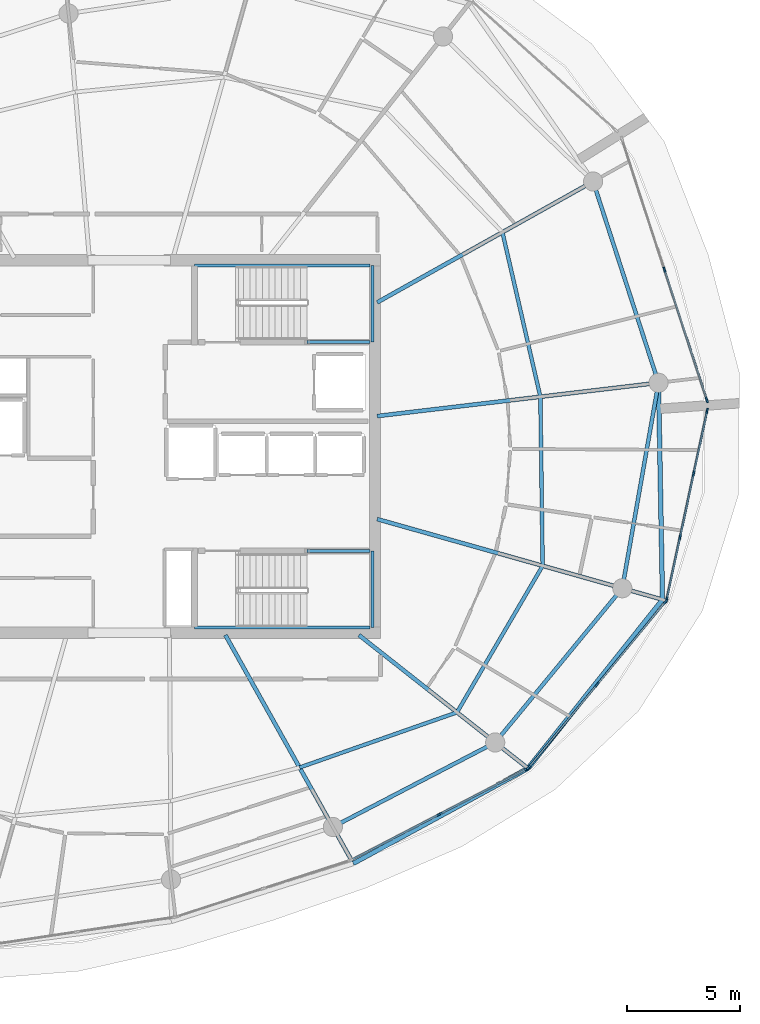
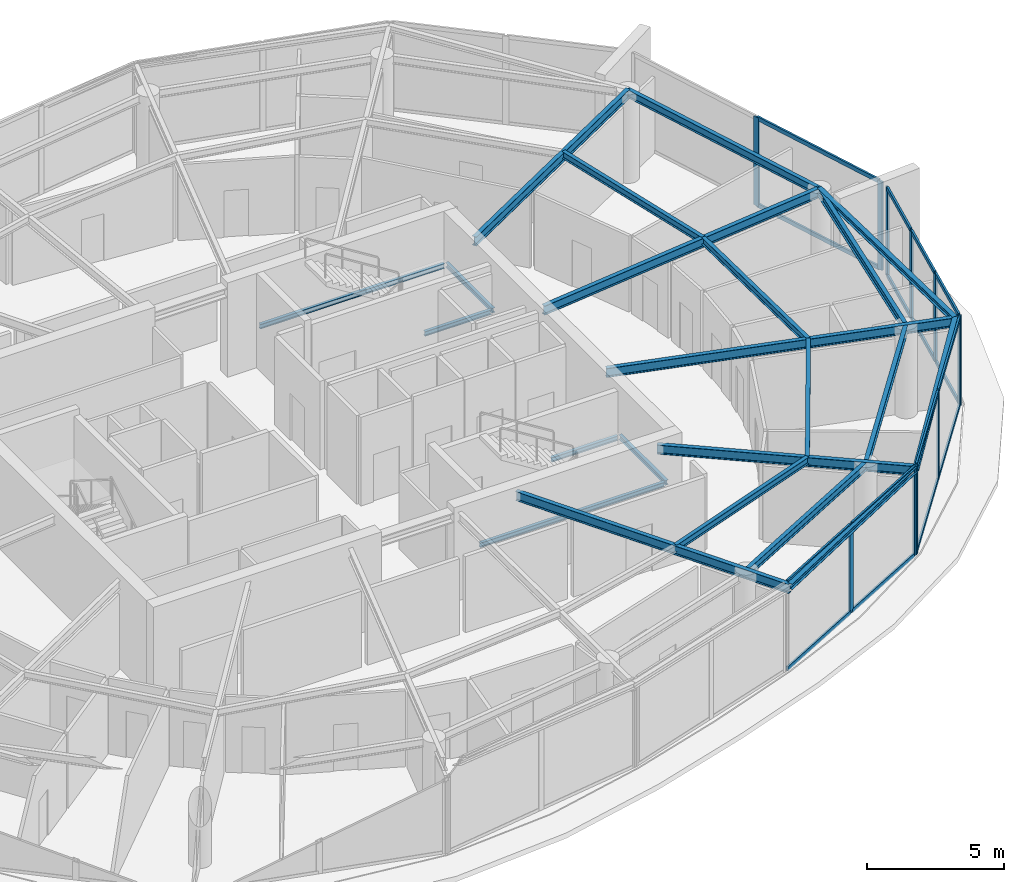
# One storey, part 7 of 16: 27 members, 22 beams, 4 elements without a shape of their own.
"""IFC4 building model written with IfcOpenShell, lengths in metres."""

from ifc_helpers import new_model, si_unit, direction, frame, origin, origin_2d, place, context, subcontext, project, spatial, rectangle, i_section, extrude, material, layer, layer_set, material_profile, profile_set, type_object, element, aggregate, save


model = new_model("IFC4")

# Units and contexts
model_context = context("Model", 3, precision=1e-05, world=origin(), true_north=direction((0.0, 1.0)))
body_context = subcontext(model_context, "Body", "Model", "MODEL_VIEW")
ifc_project = project(units=[si_unit("LENGTHUNIT", "METRE"), si_unit("AREAUNIT", "SQUARE_METRE"), si_unit("VOLUMEUNIT", "CUBIC_METRE"), si_unit("PLANEANGLEUNIT", "RADIAN"), si_unit("MASSUNIT", "GRAM", prefix="KILO")], contexts=[model_context])

# Site, building, storey
site_placement = place(None, origin())
site = spatial("IfcSite", under=ifc_project, at=site_placement, CompositionType="ELEMENT")
building_placement = place(site_placement, origin())
building = spatial("IfcBuilding", under=site, at=building_placement, Name="Kazma Halo Residences", CompositionType="ELEMENT")
storey_placement = place(building_placement, frame((0.0, 0.0, 313.699951171875)))
storey = spatial("IfcBuildingStorey", under=building, at=storey_placement, Name="L79", CompositionType="ELEMENT", Elevation=313.699951171875)

# Beams
ifc_material_1 = material(Name="Steel S355", Category="steel")
ifc_material_profile_1 = material_profile(ifc_material_1, i_section(OverallWidth=0.201904296875, OverallDepth=0.2470703125, WebThickness=0.00732421875, FlangeThickness=0.010986328125, FilletRadius=0.011962890625, at=origin_2d()), Name="W250x49.1")
ifc_profile_set_1 = profile_set([ifc_material_profile_1], Name="Steel S355")
beam_type_1 = type_object("IfcBeamType", Name="BM-BAL-CANT", PredefinedType="BEAM", material=ifc_profile_set_1)
beam_1_placement = place(storey_placement, frame((58.3408203125, 23.53515625, 3.816650390625), z_axis=(0.878288155766, 0.478131692571, 0.0), x_axis=(-0.478131692571, 0.878288155766, 0.0)))
element("IfcBeam", 1, at=beam_1_placement, inside=storey, type_object=beam_type_1, Name="L79 wave-balcony tie beam 13", PredefinedType="BEAM", context=body_context, shape_type="SweptSolid", body=[
    extrude(i_section(OverallWidth=0.201904296875, OverallDepth=0.2470703125, WebThickness=0.00732421875, FlangeThickness=0.010986328125, FilletRadius=0.011962890625, at=origin_2d()), origin(), (0.0, 0.0, 1.0), 8.810546875),
])
beam_2_placement = place(storey_placement, frame((66.0791015625, 27.747802734375, 3.816650390625), z_axis=(0.623310870646, 0.781974141858, 0.0), x_axis=(-0.781974141858, 0.623310870646, 0.0)))
element("IfcBeam", 2, at=beam_2_placement, inside=storey, type_object=beam_type_1, Name="L79 wave-balcony tie beam 14", PredefinedType="BEAM", context=body_context, shape_type="SweptSolid", body=[
    extrude(i_section(OverallWidth=0.201904296875, OverallDepth=0.2470703125, WebThickness=0.00732421875, FlangeThickness=0.010986328125, FilletRadius=0.011962890625, at=origin_2d()), origin(), (0.0, 0.0, 1.0), 9.55712890625),
])
beam_3_placement = place(storey_placement, frame((72.0361328125, 35.22119140625, 3.816650390625), z_axis=(-0.018301708623, 0.999832509704, 0.0), x_axis=(-0.999832509704, -0.018301708623, 0.0)))
element("IfcBeam", 3, at=beam_3_placement, inside=storey, type_object=beam_type_1, Name="L79 wave-balcony tie beam 15", PredefinedType="BEAM", context=body_context, shape_type="SweptSolid", body=[
    extrude(i_section(OverallWidth=0.201904296875, OverallDepth=0.2470703125, WebThickness=0.00732421875, FlangeThickness=0.010986328125, FilletRadius=0.011962890625, at=origin_2d()), origin(), (0.0, 0.0, 1.0), 9.604736328125),
])
ifc_material_profile_2 = material_profile(ifc_material_1, i_section(OverallWidth=0.177978515625, OverallDepth=0.406982421875, WebThickness=0.0078125, FlangeThickness=0.0126953125, FilletRadius=0.013916015625, at=origin_2d()), Name="W410x60")
ifc_profile_set_2 = profile_set([ifc_material_profile_2], Name="Steel S355")
beam_type_2 = type_object("IfcBeamType", Name="BM-RAD-W410", PredefinedType="BEAM", material=ifc_profile_set_2)
beam_4_placement = place(storey_placement, frame((59.39990234375, 48.38427734375, 3.736572265625), z_axis=(0.872499558985, 0.488614899047, 0.0), x_axis=(-0.488614899047, 0.872499558985, 0.0)))
element("IfcBeam", 4, at=beam_4_placement, inside=storey, type_object=beam_type_2, Name="L79 radial floor beam 01", PredefinedType="BEAM", context=body_context, shape_type="SweptSolid", body=[
    extrude(i_section(OverallWidth=0.177978515625, OverallDepth=0.406982421875, WebThickness=0.0078125, FlangeThickness=0.0126953125, FilletRadius=0.013916015625, at=origin_2d()), origin(), (0.0, 0.0, 1.0), 10.9609375),
])
beam_5_placement = place(storey_placement, frame((52.67626953125, 33.64990234375, 3.736572265625), z_axis=(0.488622607093, -0.872495242301, 0.0), x_axis=(0.872495242301, 0.488622607093, 0.0)))
element("IfcBeam", 5, at=beam_5_placement, inside=storey, type_object=beam_type_2, Name="L79 radial floor beam 13", PredefinedType="BEAM", context=body_context, shape_type="SweptSolid", body=[
    extrude(i_section(OverallWidth=0.177978515625, OverallDepth=0.406982421875, WebThickness=0.0078125, FlangeThickness=0.0126953125, FilletRadius=0.013916015625, at=origin_2d()), origin(), (0.0, 0.0, 1.0), 11.5927734375),
])
beam_6_placement = place(storey_placement, frame((58.591796875, 33.64990234375, 3.736572265625), z_axis=(0.785338117696, -0.619067073017, 0.0), x_axis=(0.619067073017, 0.785338117696, 0.0)))
element("IfcBeam", 6, at=beam_6_placement, inside=storey, type_object=beam_type_2, Name="L79 radial floor beam 14", PredefinedType="BEAM", context=body_context, shape_type="SweptSolid", body=[
    extrude(i_section(OverallWidth=0.177978515625, OverallDepth=0.406982421875, WebThickness=0.0078125, FlangeThickness=0.0126953125, FilletRadius=0.013916015625, at=origin_2d()), origin(), (0.0, 0.0, 1.0), 9.533935546875),
])
beam_7_placement = place(storey_placement, frame((59.39990234375, 38.784912109375, 3.736572265625), z_axis=(0.962456527183, -0.271435873243, 0.0), x_axis=(0.271435873243, 0.962456527183, 0.0)))
element("IfcBeam", 7, at=beam_7_placement, inside=storey, type_object=beam_type_2, Name="L79 radial floor beam 15", PredefinedType="BEAM", context=body_context, shape_type="SweptSolid", body=[
    extrude(i_section(OverallWidth=0.177978515625, OverallDepth=0.406982421875, WebThickness=0.0078125, FlangeThickness=0.0126953125, FilletRadius=0.013916015625, at=origin_2d()), origin(), (0.0, 0.0, 1.0), 13.129150390625),
])
beam_8_placement = place(storey_placement, frame((59.39990234375, 43.349365234375, 3.736572265625), z_axis=(0.993067878665, 0.117542283299, 0.0), x_axis=(-0.117542283299, 0.993067878665, 0.0)))
element("IfcBeam", 8, at=beam_8_placement, inside=storey, type_object=beam_type_2, Name="L79 radial floor beam 16", PredefinedType="BEAM", context=body_context, shape_type="SweptSolid", body=[
    extrude(i_section(OverallWidth=0.177978515625, OverallDepth=0.406982421875, WebThickness=0.0078125, FlangeThickness=0.0126953125, FilletRadius=0.013916015625, at=origin_2d()), origin(), (0.0, 0.0, 1.0), 12.54736328125),
])
ifc_material_profile_3 = material_profile(ifc_material_1, i_section(OverallWidth=0.1650390625, OverallDepth=0.31005859375, WebThickness=0.005859375, FlangeThickness=0.009765625, FilletRadius=0.011962890625, at=origin_2d()), Name="W310x38.7")
ifc_profile_set_3 = profile_set([ifc_material_profile_3], Name="Steel S355")
beam_type_3 = type_object("IfcBeamType", Name="BM-SEC-W310B", PredefinedType="JOIST", material=ifc_profile_set_3)
beam_9_placement = place(storey_placement, frame((55.961669921875, 27.783447265625, 3.78515625), z_axis=(0.943734651501, 0.33070365519, 0.0), x_axis=(-0.33070365519, 0.943734651501, 0.0)))
element("IfcBeam", 9, at=beam_9_placement, inside=storey, type_object=beam_type_3, Name="L79 circumferential floor joist 13", PredefinedType="JOIST", context=body_context, shape_type="SweptSolid", body=[
    extrude(i_section(OverallWidth=0.1650390625, OverallDepth=0.31005859375, WebThickness=0.005859375, FlangeThickness=0.009765625, FilletRadius=0.011962890625, at=origin_2d()), origin(), (0.0, 0.0, 1.0), 7.388427734375),
])
beam_10_placement = place(storey_placement, frame((62.934326171875, 30.226806640625, 3.78515625), z_axis=(0.504678344784, 0.863307458734, 0.0), x_axis=(-0.863307458734, 0.504678344784, 0.0)))
element("IfcBeam", 10, at=beam_10_placement, inside=storey, type_object=beam_type_3, Name="L79 circumferential floor joist 14", PredefinedType="JOIST", context=body_context, shape_type="SweptSolid", body=[
    extrude(i_section(OverallWidth=0.1650390625, OverallDepth=0.31005859375, WebThickness=0.005859375, FlangeThickness=0.009765625, FilletRadius=0.011962890625, at=origin_2d()), origin(), (0.0, 0.0, 1.0), 7.51904296875),
])
beam_11_placement = place(storey_placement, frame((66.72900390625, 36.718017578125, 3.78515625), z_axis=(-0.013629909387, 0.999907108471, 0.0), x_axis=(-0.999907108471, -0.013629909387, 0.0)))
element("IfcBeam", 11, at=beam_11_placement, inside=storey, type_object=beam_type_3, Name="L79 circumferential floor joist 15", PredefinedType="JOIST", context=body_context, shape_type="SweptSolid", body=[
    extrude(i_section(OverallWidth=0.1650390625, OverallDepth=0.31005859375, WebThickness=0.005859375, FlangeThickness=0.009765625, FilletRadius=0.011962890625, at=origin_2d()), origin(), (0.0, 0.0, 1.0), 7.4873046875),
])
beam_12_placement = place(storey_placement, frame((66.626953125, 44.20458984375, 3.78515625), z_axis=(-0.224709269338, 0.974425853656, 0.0), x_axis=(-0.974425853656, -0.224709269338, 0.0)))
element("IfcBeam", 12, at=beam_12_placement, inside=storey, type_object=beam_type_3, Name="L79 circumferential floor joist 16", PredefinedType="JOIST", context=body_context, shape_type="SweptSolid", body=[
    extrude(i_section(OverallWidth=0.1650390625, OverallDepth=0.31005859375, WebThickness=0.005859375, FlangeThickness=0.009765625, FilletRadius=0.011962890625, at=origin_2d()), origin(), (0.0, 0.0, 1.0), 7.47705078125),
])
ifc_material_profile_4 = material_profile(ifc_material_1, i_section(OverallWidth=0.1708984375, OverallDepth=0.35498046875, WebThickness=0.007080078125, FlangeThickness=0.01171875, FilletRadius=0.013916015625, at=origin_2d()), Name="W360x51")
ifc_profile_set_4 = profile_set([ifc_material_profile_4], Name="Steel S355")
beam_type_4 = type_object("IfcBeamType", Name="BM-SPN-W360", PredefinedType="BEAM", material=ifc_profile_set_4)
beam_13_placement = place(storey_placement, frame((57.436767578125, 25.1494140625, 3.762451171875), z_axis=(0.886957269655, 0.461851493238, 0.0), x_axis=(-0.461851493238, 0.886957269655, 0.0)))
element("IfcBeam", 13, at=beam_13_placement, inside=storey, type_object=beam_type_4, Name="L79 perimeter ring beam 13", PredefinedType="BEAM", context=body_context, shape_type="SweptSolid", body=[
    extrude(i_section(OverallWidth=0.1708984375, OverallDepth=0.35498046875, WebThickness=0.007080078125, FlangeThickness=0.01171875, FilletRadius=0.013916015625, at=origin_2d()), origin(), (0.0, 0.0, 1.0), 8.105712890625),
])
beam_14_placement = place(storey_placement, frame((64.626220703125, 28.89306640625, 3.762451171875), z_axis=(0.636004986424, 0.771684946881, 0.0), x_axis=(-0.771684946881, 0.636004986424, 0.0)))
element("IfcBeam", 14, at=beam_14_placement, inside=storey, type_object=beam_type_4, Name="L79 perimeter ring beam 14", PredefinedType="BEAM", context=body_context, shape_type="SweptSolid", body=[
    extrude(i_section(OverallWidth=0.1708984375, OverallDepth=0.35498046875, WebThickness=0.007080078125, FlangeThickness=0.01171875, FilletRadius=0.013916015625, at=origin_2d()), origin(), (0.0, 0.0, 1.0), 8.85107421875),
])
beam_15_placement = place(storey_placement, frame((70.255615234375, 35.723388671875, 3.762451171875), z_axis=(0.173649692956, 0.984807485825, 0.0), x_axis=(-0.984807485825, 0.173649692956, 0.0)))
element("IfcBeam", 15, at=beam_15_placement, inside=storey, type_object=beam_type_4, Name="L79 perimeter ring beam 15", PredefinedType="BEAM", context=body_context, shape_type="SweptSolid", body=[
    extrude(i_section(OverallWidth=0.1708984375, OverallDepth=0.35498046875, WebThickness=0.007080078125, FlangeThickness=0.01171875, FilletRadius=0.013916015625, at=origin_2d()), origin(), (0.0, 0.0, 1.0), 9.2412109375),
])
beam_16_placement = place(storey_placement, frame((71.8603515625, 44.82421875, 3.762451171875), z_axis=(-0.309023062674, 0.951054544564, 0.0), x_axis=(-0.951054544564, -0.309023062674, 0.0)))
element("IfcBeam", 16, at=beam_16_placement, inside=storey, type_object=beam_type_4, Name="L79 perimeter ring beam 16", PredefinedType="BEAM", context=body_context, shape_type="SweptSolid", body=[
    extrude(i_section(OverallWidth=0.1708984375, OverallDepth=0.35498046875, WebThickness=0.007080078125, FlangeThickness=0.01171875, FilletRadius=0.013916015625, at=origin_2d()), origin(), (0.0, 0.0, 1.0), 9.37451171875),
])
ifc_material_profile_5 = material_profile(ifc_material_1, i_section(OverallWidth=0.133056640625, OverallDepth=0.20703125, WebThickness=0.005859375, FlangeThickness=0.00830078125, FilletRadius=0.010009765625, at=origin_2d()), Name="W200x26.6")
ifc_profile_set_5 = profile_set([ifc_material_profile_5], Name="Steel S355")
beam_type_5 = type_object("IfcBeamType", Name="BM-TRIM-W200", PredefinedType="BEAM", material=ifc_profile_set_5)
beam_17_placement = place(storey_placement, frame((51.31005859375, 50.02001953125, 1.795166015625), z_axis=(1.0, 0.0, 0.0), x_axis=(0.0, 1.0, 0.0)))
element("IfcBeam", 17, at=beam_17_placement, inside=storey, type_object=beam_type_5, Name="L79 ST-02 landing north wall ledger", PredefinedType="BEAM", context=body_context, shape_type="SweptSolid", body=[
    extrude(i_section(OverallWidth=0.133056640625, OverallDepth=0.20703125, WebThickness=0.005859375, FlangeThickness=0.00830078125, FilletRadius=0.010009765625, at=origin_2d()), origin(), (0.0, 0.0, 1.0), 7.760009765625),
])
beam_18_placement = place(storey_placement, frame((56.280029296875, 46.6201171875, 1.795166015625), z_axis=(1.0, 0.0, 0.0), x_axis=(0.0, 1.0, 0.0)))
element("IfcBeam", 18, at=beam_18_placement, inside=storey, type_object=beam_type_5, Name="L79 ST-02 landing south wall ledger", PredefinedType="BEAM", context=body_context, shape_type="SweptSolid", body=[
    extrude(i_section(OverallWidth=0.133056640625, OverallDepth=0.20703125, WebThickness=0.005859375, FlangeThickness=0.00830078125, FilletRadius=0.010009765625, at=origin_2d()), origin(), (0.0, 0.0, 1.0), 2.7900390625),
])
beam_19_placement = place(storey_placement, frame((59.18994140625, 46.6201171875, 1.795166015625), z_axis=(0.0, 1.0, 0.0), x_axis=(-1.0, 0.0, 0.0)))
element("IfcBeam", 19, at=beam_19_placement, inside=storey, type_object=beam_type_5, Name="L79 ST-02 landing end wall ledger", PredefinedType="BEAM", context=body_context, shape_type="SweptSolid", body=[
    extrude(i_section(OverallWidth=0.133056640625, OverallDepth=0.20703125, WebThickness=0.005859375, FlangeThickness=0.00830078125, FilletRadius=0.010009765625, at=origin_2d()), origin(), (0.0, 0.0, 1.0), 3.39990234375),
])
beam_20_placement = place(storey_placement, frame((51.31005859375, 33.97998046875, 1.795166015625), z_axis=(1.0, 0.0, 0.0), x_axis=(0.0, 1.0, 0.0)))
element("IfcBeam", 20, at=beam_20_placement, inside=storey, type_object=beam_type_5, Name="L79 ST-03 landing south wall ledger", PredefinedType="BEAM", context=body_context, shape_type="SweptSolid", body=[
    extrude(i_section(OverallWidth=0.133056640625, OverallDepth=0.20703125, WebThickness=0.005859375, FlangeThickness=0.00830078125, FilletRadius=0.010009765625, at=origin_2d()), origin(), (0.0, 0.0, 1.0), 7.760009765625),
])
beam_21_placement = place(storey_placement, frame((56.280029296875, 37.3798828125, 1.795166015625), z_axis=(1.0, 0.0, 0.0), x_axis=(0.0, 1.0, 0.0)))
element("IfcBeam", 21, at=beam_21_placement, inside=storey, type_object=beam_type_5, Name="L79 ST-03 landing north wall ledger", PredefinedType="BEAM", context=body_context, shape_type="SweptSolid", body=[
    extrude(i_section(OverallWidth=0.133056640625, OverallDepth=0.20703125, WebThickness=0.005859375, FlangeThickness=0.00830078125, FilletRadius=0.010009765625, at=origin_2d()), origin(), (0.0, 0.0, 1.0), 2.7900390625),
])
beam_22_placement = place(storey_placement, frame((59.18994140625, 33.97998046875, 1.795166015625), z_axis=(0.0, 1.0, 0.0), x_axis=(-1.0, 0.0, 0.0)))
element("IfcBeam", 22, at=beam_22_placement, inside=storey, type_object=beam_type_5, Name="L79 ST-03 landing end wall ledger", PredefinedType="BEAM", context=body_context, shape_type="SweptSolid", body=[
    extrude(i_section(OverallWidth=0.133056640625, OverallDepth=0.20703125, WebThickness=0.005859375, FlangeThickness=0.00830078125, FilletRadius=0.010009765625, at=origin_2d()), origin(), (0.0, 0.0, 1.0), 3.39990234375),
])

# Curtain wall, members
ifc_material_2 = material(Name="Aluminium AW-6063 T6 and Triple-Silver Low-E Glass", Category="aluminium")
ifc_layer = layer(ifc_material_2, 0.239990234375)
ifc_layer_set = layer_set([ifc_layer], Name="Aluminium AW-6063 T6 and Triple-Silver Low-E Glass")
curtain_wall_type = type_object("IfcCurtainWallType", Name="CW-SYS-6", PredefinedType="NOTDEFINED", material=ifc_layer_set)
curtain_wall_1_placement = place(storey_placement, origin())
curtain_wall_1 = element("IfcCurtainWall", 23, at=curtain_wall_1_placement, inside=storey, type_object=curtain_wall_type, Name="L79 unitised curtain wall B13", PredefinedType="NOTDEFINED")
ifc_material_3 = material(Name="Aluminium AW-6063 T6", Category="aluminium")
ifc_material_profile_6 = material_profile(ifc_material_3, rectangle(XDim=0.080078125, YDim=0.239990234375, at=origin_2d()), Name="CWM-80x240")
ifc_profile_set_6 = profile_set([ifc_material_profile_6], Name="Aluminium AW-6063 T6")
member_type_1 = type_object("IfcMemberType", Name="CW-SYS-6-MUL", PredefinedType="MULLION", material=ifc_profile_set_6)
member_1_placement = place(storey_placement, frame((62.16552734375, 25.71923828125, 0.0), z_axis=(0.0, 0.0, 1.0), x_axis=(-0.460796020861, 0.887506071618, 0.0)))
member_1 = element("IfcMember", 24, at=member_1_placement, type_object=member_type_1, Name="CWS-6 mullion 2", PredefinedType="MULLION", context=body_context, shape_type="SweptSolid", body=[
    extrude(rectangle(XDim=0.080078125, YDim=0.239990234375, at=origin_2d()), origin(), (0.0, 0.0, 1.0), 3.93994140625),
])
member_2_placement = place(storey_placement, frame((66.041015625, 27.731201171875, 0.0), z_axis=(0.0, 0.0, 1.0), x_axis=(-0.460796020861, 0.887506071618, 0.0)))
member_2 = element("IfcMember", 25, at=member_2_placement, type_object=member_type_1, Name="CWS-6 mullion 3", PredefinedType="MULLION", context=body_context, shape_type="SweptSolid", body=[
    extrude(rectangle(XDim=0.080078125, YDim=0.239990234375, at=origin_2d()), origin(), (0.0, 0.0, 1.0), 3.93994140625),
])

curtain_wall_2_placement = place(storey_placement, origin())
curtain_wall_2 = element("IfcCurtainWall", 26, at=curtain_wall_2_placement, inside=storey, type_object=curtain_wall_type, Name="L79 unitised curtain wall B14", PredefinedType="NOTDEFINED")
member_3_placement = place(storey_placement, frame((66.101806640625, 27.780517578125, 0.0), z_axis=(0.0, 0.0, 1.0), x_axis=(-0.771014079248, 0.636818097734, 0.0)))
member_3 = element("IfcMember", 27, at=member_3_placement, type_object=member_type_1, Name="CWS-6 mullion 1", PredefinedType="MULLION", context=body_context, shape_type="SweptSolid", body=[
    extrude(rectangle(XDim=0.080078125, YDim=0.239990234375, at=origin_2d()), origin(), (0.0, 0.0, 1.0), 3.93994140625),
])
member_4_placement = place(storey_placement, frame((69.141845703125, 31.461181640625, 0.0), z_axis=(0.0, 0.0, 1.0), x_axis=(-0.771014079248, 0.636818097734, 0.0)))
member_4 = element("IfcMember", 28, at=member_4_placement, type_object=member_type_1, Name="CWS-6 mullion 2", PredefinedType="MULLION", context=body_context, shape_type="SweptSolid", body=[
    extrude(rectangle(XDim=0.080078125, YDim=0.239990234375, at=origin_2d()), origin(), (0.0, 0.0, 1.0), 3.93994140625),
])
member_5_placement = place(storey_placement, frame((72.18212890625, 35.141845703125, 0.0), z_axis=(0.0, 0.0, 1.0), x_axis=(-0.771014079248, 0.636818097734, 0.0)))
member_5 = element("IfcMember", 29, at=member_5_placement, type_object=member_type_1, Name="CWS-6 mullion 3", PredefinedType="MULLION", context=body_context, shape_type="SweptSolid", body=[
    extrude(rectangle(XDim=0.080078125, YDim=0.239990234375, at=origin_2d()), origin(), (0.0, 0.0, 1.0), 3.93994140625),
])

curtain_wall_3_placement = place(storey_placement, origin())
curtain_wall_3 = element("IfcCurtainWall", 30, at=curtain_wall_3_placement, inside=storey, type_object=curtain_wall_type, Name="L79 unitised curtain wall B15", PredefinedType="NOTDEFINED")
member_6_placement = place(storey_placement, frame((72.2158203125, 35.2119140625, 0.0), z_axis=(0.0, 0.0, 1.0), x_axis=(-0.977760865363, 0.209722888986, 0.0)))
member_6 = element("IfcMember", 31, at=member_6_placement, type_object=member_type_1, Name="CWS-6 mullion 1", PredefinedType="MULLION", context=body_context, shape_type="SweptSolid", body=[
    extrude(rectangle(XDim=0.080078125, YDim=0.239990234375, at=origin_2d()), origin(), (0.0, 0.0, 1.0), 3.93994140625),
])
member_7_placement = place(storey_placement, frame((72.81103515625, 37.986572265625, 0.0), z_axis=(0.0, 0.0, 1.0), x_axis=(-0.977760865363, 0.209722888986, 0.0)))
member_7 = element("IfcMember", 32, at=member_7_placement, type_object=member_type_1, Name="CWS-6 mullion 2", PredefinedType="MULLION", context=body_context, shape_type="SweptSolid", body=[
    extrude(rectangle(XDim=0.080078125, YDim=0.239990234375, at=origin_2d()), origin(), (0.0, 0.0, 1.0), 3.93994140625),
])
member_8_placement = place(storey_placement, frame((73.41455078125, 40.80029296875, 0.0), z_axis=(0.0, 0.0, 1.0), x_axis=(-0.977760865363, 0.209722888986, 0.0)))
member_8 = element("IfcMember", 33, at=member_8_placement, type_object=member_type_1, Name="CWS-6 mullion 3", PredefinedType="MULLION", context=body_context, shape_type="SweptSolid", body=[
    extrude(rectangle(XDim=0.080078125, YDim=0.239990234375, at=origin_2d()), origin(), (0.0, 0.0, 1.0), 3.93994140625),
])
member_9_placement = place(storey_placement, frame((74.009765625, 43.574951171875, 0.0), z_axis=(0.0, 0.0, 1.0), x_axis=(-0.977760865363, 0.209722888986, 0.0)))
member_9 = element("IfcMember", 34, at=member_9_placement, type_object=member_type_1, Name="CWS-6 mullion 4", PredefinedType="MULLION", context=body_context, shape_type="SweptSolid", body=[
    extrude(rectangle(XDim=0.080078125, YDim=0.239990234375, at=origin_2d()), origin(), (0.0, 0.0, 1.0), 3.93994140625),
])

curtain_wall_4_placement = place(storey_placement, origin())
curtain_wall_4 = element("IfcCurtainWall", 35, at=curtain_wall_4_placement, inside=storey, type_object=curtain_wall_type, Name="L79 unitised curtain wall B16", PredefinedType="NOTDEFINED")
member_10_placement = place(storey_placement, frame((73.9990234375, 44.062255859375, 0.0), z_axis=(0.0, 0.0, 1.0), x_axis=(-0.951055886462, -0.309018932797, 0.0)))
member_10 = element("IfcMember", 36, at=member_10_placement, type_object=member_type_1, Name="CWS-6 mullion 1", PredefinedType="MULLION", context=body_context, shape_type="SweptSolid", body=[
    extrude(rectangle(XDim=0.080078125, YDim=0.239990234375, at=origin_2d()), origin(), (0.0, 0.0, 1.0), 3.93994140625),
])
member_11_placement = place(storey_placement, frame((72.12255859375, 49.837890625, 0.0), z_axis=(0.0, 0.0, 1.0), x_axis=(-0.951055886462, -0.309018932797, 0.0)))
member_11 = element("IfcMember", 37, at=member_11_placement, type_object=member_type_1, Name="CWS-6 mullion 2", PredefinedType="MULLION", context=body_context, shape_type="SweptSolid", body=[
    extrude(rectangle(XDim=0.080078125, YDim=0.239990234375, at=origin_2d()), origin(), (0.0, 0.0, 1.0), 3.93994140625),
])

# Member
ifc_material_profile_7 = material_profile(ifc_material_3, rectangle(XDim=0.080078125, YDim=0.179931640625, at=origin_2d()), Name="CWT-80x180")
ifc_profile_set_7 = profile_set([ifc_material_profile_7], Name="Aluminium AW-6063 T6")
member_type_2 = type_object("IfcMemberType", Name="CW-SYS-6-TRN", PredefinedType="USERDEFINED", material=ifc_profile_set_7)
member_12_placement = place(storey_placement, frame((58.32568359375, 23.7255859375, 0.0400390625), z_axis=(0.88752339951, 0.460762645321, 0.0), x_axis=(-0.460762645321, 0.88752339951, 0.0)))
member_12 = element("IfcMember", 38, at=member_12_placement, type_object=member_type_2, Name="CWS-6 transom 1.1", ObjectType="TRANSOM", PredefinedType="USERDEFINED", context=body_context, shape_type="SweptSolid", body=[
    extrude(rectangle(XDim=0.080078125, YDim=0.179931640625, at=origin_2d()), origin(), (0.0, 0.0, 1.0), 4.28662109375),
])

member_13_placement = place(storey_placement, frame((58.32568359375, 23.7255859375, 3.900146484375), z_axis=(0.88752339951, 0.460762645321, 0.0), x_axis=(-0.460762645321, 0.88752339951, 0.0)))
member_13 = element("IfcMember", 39, at=member_13_placement, type_object=member_type_2, Name="CWS-6 transom 1.2", ObjectType="TRANSOM", PredefinedType="USERDEFINED", context=body_context, shape_type="SweptSolid", body=[
    extrude(rectangle(XDim=0.080078125, YDim=0.179931640625, at=origin_2d()), origin(), (0.0, 0.0, 1.0), 4.28662109375),
])

member_14_placement = place(storey_placement, frame((62.201171875, 25.737548828125, 0.0400390625), z_axis=(0.887488013571, 0.4608307995, 0.0), x_axis=(-0.4608307995, 0.887488013571, 0.0)))
member_14 = element("IfcMember", 40, at=member_14_placement, type_object=member_type_2, Name="CWS-6 transom 2.1", ObjectType="TRANSOM", PredefinedType="USERDEFINED", context=body_context, shape_type="SweptSolid", body=[
    extrude(rectangle(XDim=0.080078125, YDim=0.179931640625, at=origin_2d()), origin(), (0.0, 0.0, 1.0), 4.286376953125),
])

member_15_placement = place(storey_placement, frame((62.201171875, 25.737548828125, 3.900146484375), z_axis=(0.887488013571, 0.4608307995, 0.0), x_axis=(-0.4608307995, 0.887488013571, 0.0)))
member_15 = element("IfcMember", 41, at=member_15_placement, type_object=member_type_2, Name="CWS-6 transom 2.2", ObjectType="TRANSOM", PredefinedType="USERDEFINED", context=body_context, shape_type="SweptSolid", body=[
    extrude(rectangle(XDim=0.080078125, YDim=0.179931640625, at=origin_2d()), origin(), (0.0, 0.0, 1.0), 4.286376953125),
])

aggregate(curtain_wall_1, [member_1, member_2, member_12, member_13, member_14, member_15])

member_16_placement = place(storey_placement, frame((66.12744140625, 27.811279296875, 0.0400390625), z_axis=(0.636791384721, 0.771036142049, 0.0), x_axis=(-0.771036142049, 0.636791384721, 0.0)))
member_16 = element("IfcMember", 42, at=member_16_placement, type_object=member_type_2, Name="CWS-6 transom 1.1", ObjectType="TRANSOM", PredefinedType="USERDEFINED", context=body_context, shape_type="SweptSolid", body=[
    extrude(rectangle(XDim=0.080078125, YDim=0.179931640625, at=origin_2d()), origin(), (0.0, 0.0, 1.0), 4.69384765625),
])

member_17_placement = place(storey_placement, frame((66.12744140625, 27.811279296875, 3.900146484375), z_axis=(0.636791384721, 0.771036142049, 0.0), x_axis=(-0.771036142049, 0.636791384721, 0.0)))
member_17 = element("IfcMember", 43, at=member_17_placement, type_object=member_type_2, Name="CWS-6 transom 1.2", ObjectType="TRANSOM", PredefinedType="USERDEFINED", context=body_context, shape_type="SweptSolid", body=[
    extrude(rectangle(XDim=0.080078125, YDim=0.179931640625, at=origin_2d()), origin(), (0.0, 0.0, 1.0), 4.69384765625),
])

member_18_placement = place(storey_placement, frame((69.16748046875, 31.4921875, 0.0400390625), z_axis=(0.636816923064, 0.771015049463, 0.0), x_axis=(-0.771015049463, 0.636816923064, 0.0)))
member_18 = element("IfcMember", 44, at=member_18_placement, type_object=member_type_2, Name="CWS-6 transom 2.1", ObjectType="TRANSOM", PredefinedType="USERDEFINED", context=body_context, shape_type="SweptSolid", body=[
    extrude(rectangle(XDim=0.080078125, YDim=0.179931640625, at=origin_2d()), origin(), (0.0, 0.0, 1.0), 4.693603515625),
])

member_19_placement = place(storey_placement, frame((69.16748046875, 31.4921875, 3.900146484375), z_axis=(0.636816923064, 0.771015049463, 0.0), x_axis=(-0.771015049463, 0.636816923064, 0.0)))
member_19 = element("IfcMember", 45, at=member_19_placement, type_object=member_type_2, Name="CWS-6 transom 2.2", ObjectType="TRANSOM", PredefinedType="USERDEFINED", context=body_context, shape_type="SweptSolid", body=[
    extrude(rectangle(XDim=0.080078125, YDim=0.179931640625, at=origin_2d()), origin(), (0.0, 0.0, 1.0), 4.693603515625),
])

aggregate(curtain_wall_2, [member_3, member_4, member_5, member_16, member_17, member_18, member_19])

member_20_placement = place(storey_placement, frame((72.224365234375, 35.2509765625, 0.0400390625), z_axis=(0.209716499477, 0.977762235846, 0.0), x_axis=(-0.977762235846, 0.209716499477, 0.0)))
member_20 = element("IfcMember", 46, at=member_20_placement, type_object=member_type_2, Name="CWS-6 transom 1.1", ObjectType="TRANSOM", PredefinedType="USERDEFINED", context=body_context, shape_type="SweptSolid", body=[
    extrude(rectangle(XDim=0.080078125, YDim=0.179931640625, at=origin_2d()), origin(), (0.0, 0.0, 1.0), 2.7578125),
])

member_21_placement = place(storey_placement, frame((72.224365234375, 35.2509765625, 3.900146484375), z_axis=(0.209716499477, 0.977762235846, 0.0), x_axis=(-0.977762235846, 0.209716499477, 0.0)))
member_21 = element("IfcMember", 47, at=member_21_placement, type_object=member_type_2, Name="CWS-6 transom 1.2", ObjectType="TRANSOM", PredefinedType="USERDEFINED", context=body_context, shape_type="SweptSolid", body=[
    extrude(rectangle(XDim=0.080078125, YDim=0.179931640625, at=origin_2d()), origin(), (0.0, 0.0, 1.0), 2.7578125),
])

member_22_placement = place(storey_placement, frame((72.8193359375, 38.025634765625, 0.0400390625), z_axis=(0.209773410621, 0.977750027459, 0.0), x_axis=(-0.977750027459, 0.209773410621, 0.0)))
member_22 = element("IfcMember", 48, at=member_22_placement, type_object=member_type_2, Name="CWS-6 transom 2.1", ObjectType="TRANSOM", PredefinedType="USERDEFINED", context=body_context, shape_type="SweptSolid", body=[
    extrude(rectangle(XDim=0.080078125, YDim=0.179931640625, at=origin_2d()), origin(), (0.0, 0.0, 1.0), 2.7978515625),
])

member_23_placement = place(storey_placement, frame((72.8193359375, 38.025634765625, 3.900146484375), z_axis=(0.209773410621, 0.977750027459, 0.0), x_axis=(-0.977750027459, 0.209773410621, 0.0)))
member_23 = element("IfcMember", 49, at=member_23_placement, type_object=member_type_2, Name="CWS-6 transom 2.2", ObjectType="TRANSOM", PredefinedType="USERDEFINED", context=body_context, shape_type="SweptSolid", body=[
    extrude(rectangle(XDim=0.080078125, YDim=0.179931640625, at=origin_2d()), origin(), (0.0, 0.0, 1.0), 2.7978515625),
])

member_24_placement = place(storey_placement, frame((73.4228515625, 40.83935546875, 0.0400390625), z_axis=(0.209716499477, 0.977762235846, 0.0), x_axis=(-0.977762235846, 0.209716499477, 0.0)))
member_24 = element("IfcMember", 50, at=member_24_placement, type_object=member_type_2, Name="CWS-6 transom 3.1", ObjectType="TRANSOM", PredefinedType="USERDEFINED", context=body_context, shape_type="SweptSolid", body=[
    extrude(rectangle(XDim=0.080078125, YDim=0.179931640625, at=origin_2d()), origin(), (0.0, 0.0, 1.0), 2.7578125),
])

member_25_placement = place(storey_placement, frame((73.4228515625, 40.83935546875, 3.900146484375), z_axis=(0.209716499477, 0.977762235846, 0.0), x_axis=(-0.977762235846, 0.209716499477, 0.0)))
member_25 = element("IfcMember", 51, at=member_25_placement, type_object=member_type_2, Name="CWS-6 transom 3.2", ObjectType="TRANSOM", PredefinedType="USERDEFINED", context=body_context, shape_type="SweptSolid", body=[
    extrude(rectangle(XDim=0.080078125, YDim=0.179931640625, at=origin_2d()), origin(), (0.0, 0.0, 1.0), 2.7578125),
])

aggregate(curtain_wall_3, [member_6, member_7, member_8, member_9, member_20, member_21, member_22, member_23, member_24, member_25])

member_26_placement = place(storey_placement, frame((73.986572265625, 44.100341796875, 0.0400390625), z_axis=(-0.309007770724, 0.951059513191, 0.0), x_axis=(-0.951059513191, -0.309007770724, 0.0)))
member_26 = element("IfcMember", 52, at=member_26_placement, type_object=member_type_2, Name="CWS-6 transom 1.1", ObjectType="TRANSOM", PredefinedType="USERDEFINED", context=body_context, shape_type="SweptSolid", body=[
    extrude(rectangle(XDim=0.080078125, YDim=0.179931640625, at=origin_2d()), origin(), (0.0, 0.0, 1.0), 5.99267578125),
])

member_27_placement = place(storey_placement, frame((73.986572265625, 44.100341796875, 3.900146484375), z_axis=(-0.309007770724, 0.951059513191, 0.0), x_axis=(-0.951059513191, -0.309007770724, 0.0)))
member_27 = element("IfcMember", 53, at=member_27_placement, type_object=member_type_2, Name="CWS-6 transom 1.2", ObjectType="TRANSOM", PredefinedType="USERDEFINED", context=body_context, shape_type="SweptSolid", body=[
    extrude(rectangle(XDim=0.080078125, YDim=0.179931640625, at=origin_2d()), origin(), (0.0, 0.0, 1.0), 5.99267578125),
])

aggregate(curtain_wall_4, [member_10, member_11, member_26, member_27])

save(model, "model.ifc")
